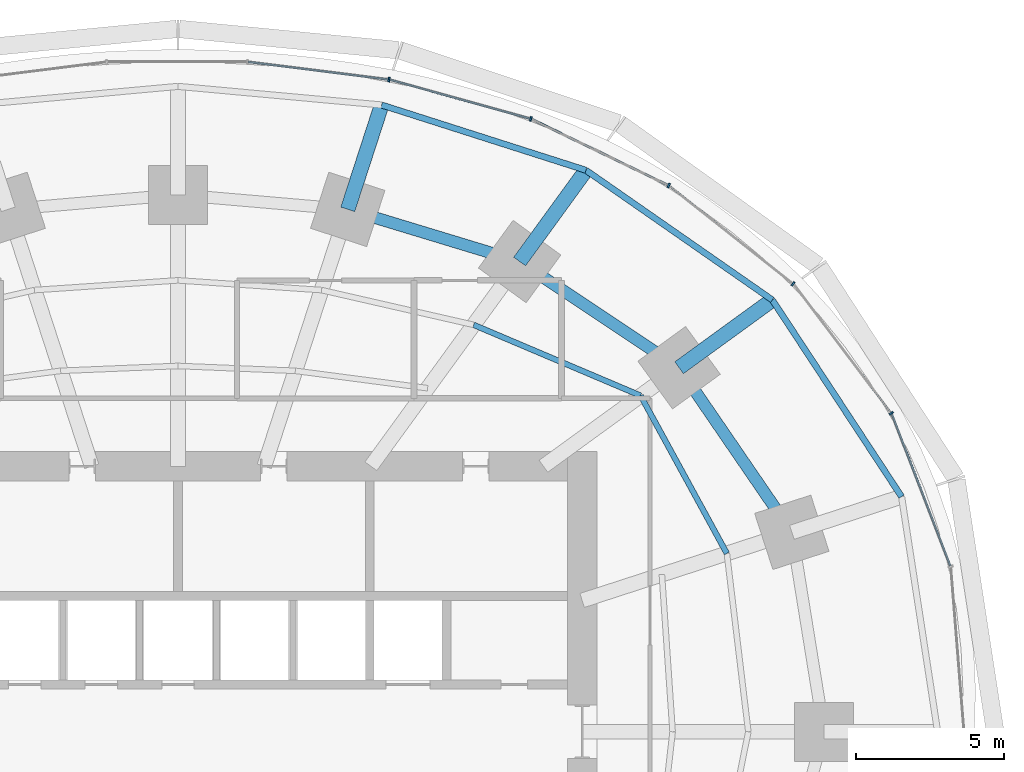
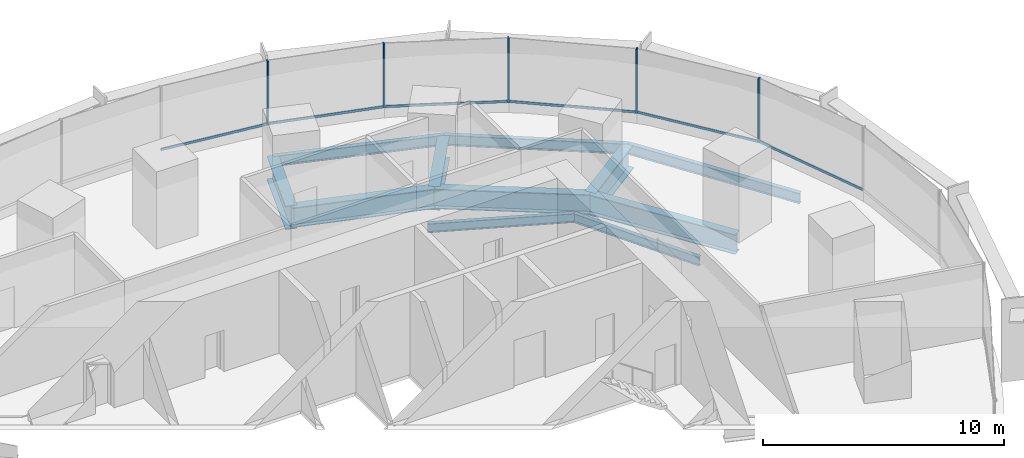
# One storey, part 9 of 15: 11 beams, 11 members, 2 elements without a shape of their own.
"""IFC4 building model written with IfcOpenShell, lengths in metres."""

import ifcopenshell
import ifcopenshell.guid

model = None  # the IFC model being written
_history = None  # IfcOwnerHistory: only IFC2X3 demands one
_inside = {}  # id of a spatial element -> (the spatial element, [elements in it])
_under = {}  # id of a project, library or spatial element -> (it, [spatial elements below it])
_declared = {}  # id of a project -> (the project, [libraries it declares])
_typed = {}  # id of a type object -> (the type object, [elements of that type])
_made_of = {}  # id of a material, layer set ... -> (it, [elements and type objects made of it])


def new_model(schema):
    """Start an empty IFC model of exactly this schema.

    Asked for "IFC4X3", IfcOpenShell would pick the latest addendum, in which some entities
    have other attributes; the version numbers below select the first issue.
    IFC2X3 requires an IfcOwnerHistory on every rooted entity: one is made here for all.
    """
    global model, _history
    if schema == "IFC4X3":
        model = ifcopenshell.file(schema_version=(4, 3, 0, 0))
    else:
        model = ifcopenshell.file(schema=schema)
    _inside.clear()
    _under.clear()
    _declared.clear()
    _typed.clear()
    _made_of.clear()
    _history = None
    if model.schema == "IFC2X3":
        org = make("IfcOrganization", Name="unknown")
        user = make(
            "IfcPersonAndOrganization",
            ThePerson=make("IfcPerson", FamilyName="unknown"),
            TheOrganization=org,
        )
        app = make(
            "IfcApplication",
            ApplicationDeveloper=org,
            Version="unknown",
            ApplicationFullName="unknown",
            ApplicationIdentifier="unknown",
        )
        _history = make(
            "IfcOwnerHistory",
            OwningUser=user,
            OwningApplication=app,
            ChangeAction="ADDED",
            CreationDate=0,
        )
    return model


def make(cls, **values):
    """One entity of the class cls with the attributes given. An attribute that is None is left unset."""
    return model.create_entity(
        cls, **{name: value for name, value in values.items() if value is not None}
    )


def rooted(cls, **values):
    """An entity with a GlobalId (a new one), such as an element, a storey or a relation."""
    return make(cls, GlobalId=ifcopenshell.guid.new(), OwnerHistory=_history, **values)


def si_unit(unit_type, name, prefix=None):
    """IfcSIUnit, for example si_unit("LENGTHUNIT", "METRE", prefix="MILLI")."""
    return make("IfcSIUnit", UnitType=unit_type, Prefix=prefix, Name=name)


def assignment(units):
    """IfcUnitAssignment: the units of a project."""
    return None if units is None else make("IfcUnitAssignment", Units=units)


def point(xyz):
    """IfcCartesianPoint."""
    return None if xyz is None else make("IfcCartesianPoint", Coordinates=xyz)


def direction(xyz):
    """IfcDirection."""
    return None if xyz is None else make("IfcDirection", DirectionRatios=xyz)


def frame(location, z_axis=None, x_axis=None):
    """IfcAxis2Placement3D, a coordinate frame: its origin and axes. An axis left out is left unset."""
    return make(
        "IfcAxis2Placement3D",
        Location=point(location),
        Axis=direction(z_axis),
        RefDirection=direction(x_axis),
    )


def frame_2d(location, x_axis=None):
    """IfcAxis2Placement2D, a coordinate frame in the plane: its origin and x axis."""
    return make(
        "IfcAxis2Placement2D", Location=point(location), RefDirection=direction(x_axis)
    )


def origin():
    """The frame at (0, 0, 0) with its axes left unset."""
    return frame((0.0, 0.0, 0.0))


def origin_2d():
    """The frame at (0, 0) in the plane with its x axis left unset."""
    return frame_2d((0.0, 0.0))


def place(relative_to, where):
    """IfcLocalPlacement: puts the frame where relative to a parent placement (None: the world)."""
    return make(
        "IfcLocalPlacement", PlacementRelTo=relative_to, RelativePlacement=where
    )


def context(
    kind, dimensions, precision=None, world=None, true_north=None, identifier=None
):
    """IfcGeometricRepresentationContext, for example the 3D "Model" context."""
    return make(
        "IfcGeometricRepresentationContext",
        ContextIdentifier=identifier,
        ContextType=kind,
        CoordinateSpaceDimension=dimensions,
        Precision=precision,
        WorldCoordinateSystem=world,
        TrueNorth=true_north,
    )


def subcontext(parent, identifier, kind, view, scale=None):
    """IfcGeometricRepresentationSubContext, for example "Body" below "Model"."""
    return make(
        "IfcGeometricRepresentationSubContext",
        ContextIdentifier=identifier,
        ContextType=kind,
        ParentContext=parent,
        TargetScale=scale,
        TargetView=view,
    )


def project(units=None, contexts=None):
    """IfcProject with its units and contexts."""
    return rooted(
        "IfcProject",
        Name="project",
        RepresentationContexts=contexts,
        UnitsInContext=assignment(units),
    )


def spatial(cls, under=None, at=None, **own):
    """A site, building, storey or space (cls), placed at a placement, below another one or the project."""
    s = rooted(cls, ObjectPlacement=at, **own)
    if under is not None:
        _under.setdefault(under.id(), (under, []))[1].append(s)
    return s


def profile(cls, at=None, kind="AREA", **sizes):
    """A parametric profile (cls). Its sizes go by their IFC names, for example OverallWidth=200.0."""
    return make(cls, ProfileType=kind, Position=at, **sizes)


def rectangle(**sizes):
    """IfcRectangleProfileDef."""
    return profile("IfcRectangleProfileDef", **sizes)


def i_section(**sizes):
    """IfcIShapeProfileDef."""
    return profile("IfcIShapeProfileDef", **sizes)


def extrude(swept, where, along, depth):
    """IfcExtrudedAreaSolid: the profile swept, set in the frame where, extruded along a direction by depth."""
    return make(
        "IfcExtrudedAreaSolid",
        SweptArea=swept,
        Position=where,
        ExtrudedDirection=direction(along),
        Depth=depth,
    )


def shape(context_of_items, identifier, shape_type, items):
    """IfcShapeRepresentation: the items that make up one representation, for example the "Body"."""
    return make(
        "IfcShapeRepresentation",
        ContextOfItems=context_of_items,
        RepresentationIdentifier=identifier,
        RepresentationType=shape_type,
        Items=items,
    )


def material(Name=None, Category=None):
    """IfcMaterial."""
    return make("IfcMaterial", Name=Name, Category=Category)


def material_profile(
    of_material, cross_section, Name=None, Category=None, Priority=None
):
    """IfcMaterialProfile: a cross section and its material."""
    return make(
        "IfcMaterialProfile",
        Name=Name,
        Material=of_material,
        Profile=cross_section,
        Priority=Priority,
        Category=Category,
    )


def profile_set(profiles, Name=None, composite=None):
    """IfcMaterialProfileSet."""
    return make(
        "IfcMaterialProfileSet",
        Name=Name,
        MaterialProfiles=profiles,
        CompositeProfile=composite,
    )


def made_of(thing, what):
    """Note that an element or type object is made of a material, layer set ...; save() writes the relation."""
    if what is not None:
        _made_of.setdefault(what.id(), (what, []))[1].append(thing)
    return thing


def type_object(cls, material=None, **own):
    """A type object (cls), such as IfcWallType, which elements share."""
    return made_of(rooted(cls, **own), material)


def element(
    cls,
    number,
    at=None,
    inside=None,
    cuts=None,
    type_object=None,
    material=None,
    context=None,
    identifier="Body",
    shape_type=None,
    held_by="IfcProductDefinitionShape",
    body=None,
    shapes=None,
    **own,
):
    """One element of the class cls, such as IfcWall. Its Tag is "e" and its number.

    at: its placement. inside: the storey or other place that contains it. cuts: it is an
    opening in that element (IfcRelVoidsElement). A single representation is given by context,
    identifier, shape_type and body (its items); several are given by shapes. held_by: the class
    of the entity that holds the representations. save() writes the other relations.
    """
    e = rooted(cls, Tag="e%d" % number, ObjectPlacement=at, **own)
    if body is not None:
        shapes = [shape(context, identifier, shape_type, body)]
    if shapes is not None:
        e.Representation = make(held_by, Representations=shapes)
    if inside is not None:
        _inside.setdefault(inside.id(), (inside, []))[1].append(e)
    if cuts is not None:
        rooted(
            "IfcRelVoidsElement", RelatingBuildingElement=cuts, RelatedOpeningElement=e
        )
    if type_object is not None:
        _typed.setdefault(type_object.id(), (type_object, []))[1].append(e)
    return made_of(e, material)


def aggregate(whole, parts):
    """IfcRelAggregates: a whole, such as a stair, and the parts it consists of."""
    return rooted("IfcRelAggregates", RelatingObject=whole, RelatedObjects=parts)


def save(model, path):
    """Write the relations noted so far, then the file.

    IfcRelAggregates (storeys below a building ...), IfcRelContainedInSpatialStructure (elements
    in a storey), IfcRelDefinesByType, IfcRelAssociatesMaterial and IfcRelDeclares: one each for
    every whole, place, type object, material and project.
    """
    for whole, parts in _under.values():
        aggregate(whole, parts)
    for where, things in _inside.values():
        rooted(
            "IfcRelContainedInSpatialStructure",
            RelatedElements=things,
            RelatingStructure=where,
        )
    for kind, things in _typed.values():
        rooted("IfcRelDefinesByType", RelatedObjects=things, RelatingType=kind)
    for what, things in _made_of.values():
        rooted("IfcRelAssociatesMaterial", RelatedObjects=things, RelatingMaterial=what)
    for by, libraries in _declared.values():
        rooted("IfcRelDeclares", RelatingContext=by, RelatedDefinitions=libraries)
    model.write(path)


model = new_model("IFC4")

# Units and contexts
model_context = context("Model", 3, precision=1e-05, world=origin(), true_north=direction((0.0, 1.0)))
body_context = subcontext(model_context, "Body", "Model", "MODEL_VIEW")
ifc_project = project(units=[si_unit("LENGTHUNIT", "METRE"), si_unit("AREAUNIT", "SQUARE_METRE"), si_unit("VOLUMEUNIT", "CUBIC_METRE"), si_unit("PLANEANGLEUNIT", "RADIAN"), si_unit("MASSUNIT", "GRAM", prefix="KILO")], contexts=[model_context])

# Site, building, storey
site_placement = place(None, origin())
site = spatial("IfcSite", under=ifc_project, at=site_placement, CompositionType="ELEMENT")
building_placement = place(site_placement, origin())
building = spatial("IfcBuilding", under=site, at=building_placement, Name="Marramba Exchange Tower", CompositionType="ELEMENT")
storey_placement = place(building_placement, frame((0.0, 0.0, 40.60009765625)))
storey = spatial("IfcBuildingStorey", under=building, at=storey_placement, Name="L09", CompositionType="ELEMENT", Elevation=40.60009765625)

# Beams
ifc_material_1 = material(Name="Steel AS/NZS 3679.2 grade 300", Category="steel")
ifc_material_profile_1 = material_profile(ifc_material_1, i_section(OverallWidth=0.5, OverallDepth=1.199951171875, WebThickness=0.01611328125, FlangeThickness=0.0400390625, at=origin_2d()), Name="1200WB455")
ifc_profile_set_1 = profile_set([ifc_material_profile_1], Name="Steel AS/NZS 3679.2 grade 300")
beam_type_1 = type_object("IfcBeamType", Name="Cantilever girder 1200WB455", PredefinedType="BEAM", material=ifc_profile_set_1)
beam_1_placement = place(storey_placement, frame((16.98583984375, 12.3408203125, -0.760009765625), z_axis=(0.808987260856, 0.587826174793, 0.0), x_axis=(-0.587826174793, 0.808987260856, 0.0)))
element("IfcBeam", 1, at=beam_1_placement, inside=storey, type_object=beam_type_1, Name="Cantilever girder L09 TC03", PredefinedType="BEAM", context=body_context, shape_type="SweptSolid", body=[
    extrude(i_section(OverallWidth=0.5, OverallDepth=1.199951171875, WebThickness=0.01611328125, FlangeThickness=0.0400390625, at=origin_2d()), origin(), (0.0, 0.0, 1.0), 3.90771484375),
])
beam_2_placement = place(storey_placement, frame((11.581298828125, 15.9404296875, -0.760009765625), z_axis=(0.587795827483, 0.809009310944, 0.0), x_axis=(-0.809009310944, 0.587795827483, 0.0)))
element("IfcBeam", 2, at=beam_2_placement, inside=storey, type_object=beam_type_1, Name="Cantilever girder L09 TC04", PredefinedType="BEAM", context=body_context, shape_type="SweptSolid", body=[
    extrude(i_section(OverallWidth=0.5, OverallDepth=1.199951171875, WebThickness=0.01611328125, FlangeThickness=0.0400390625, at=origin_2d()), origin(), (0.0, 0.0, 1.0), 3.82421875),
])
beam_3_placement = place(storey_placement, frame((5.75390625, 17.70849609375, -0.760009765625), z_axis=(0.308973290646, 0.951070715387, 0.0), x_axis=(-0.951070715387, 0.308973290646, 0.0)))
element("IfcBeam", 3, at=beam_3_placement, inside=storey, type_object=beam_type_1, Name="Cantilever girder L09 TC05", PredefinedType="BEAM", context=body_context, shape_type="SweptSolid", body=[
    extrude(i_section(OverallWidth=0.5, OverallDepth=1.199951171875, WebThickness=0.01611328125, FlangeThickness=0.0400390625, at=origin_2d()), origin(), (0.0, 0.0, 1.0), 3.72021484375),
])
ifc_material_2 = material(Name="Steel AS/NZS 3679.1 grade 300", Category="steel")
ifc_material_profile_2 = material_profile(ifc_material_2, i_section(OverallWidth=0.18994140625, OverallDepth=0.4541015625, WebThickness=0.008544921875, FlangeThickness=0.0126953125, FilletRadius=0.011474609375, at=origin_2d()), Name="460UB67.1")
ifc_profile_set_2 = profile_set([ifc_material_profile_2], Name="Steel AS/NZS 3679.1 grade 300")
beam_type_2 = type_object("IfcBeamType", Name="Floor joist 460UB67.1", PredefinedType="JOIST", material=ifc_profile_set_2)
beam_4_placement = place(storey_placement, frame((18.60546875, 6.04541015625, -0.38720703125), z_axis=(-0.479584443791, 0.877495732909, 0.0), x_axis=(-0.877495732909, -0.479584443791, 0.0)))
element("IfcBeam", 4, at=beam_4_placement, inside=storey, type_object=beam_type_2, Name="Joist L09 bay 02 row 2", PredefinedType="JOIST", context=body_context, shape_type="SweptSolid", body=[
    extrude(i_section(OverallWidth=0.18994140625, OverallDepth=0.4541015625, WebThickness=0.008544921875, FlangeThickness=0.0126953125, FilletRadius=0.011474609375, at=origin_2d()), origin(), (0.0, 0.0, 1.0), 6.094970703125),
])
beam_5_placement = place(storey_placement, frame((15.682373046875, 11.393798828125, -0.38720703125), z_axis=(-0.920674336375, 0.390331610738, 0.0), x_axis=(-0.390331610738, -0.920674336375, 0.0)))
element("IfcBeam", 5, at=beam_5_placement, inside=storey, type_object=beam_type_2, Name="Joist L09 bay 03 row 2", PredefinedType="JOIST", context=body_context, shape_type="SweptSolid", body=[
    extrude(i_section(OverallWidth=0.18994140625, OverallDepth=0.4541015625, WebThickness=0.008544921875, FlangeThickness=0.0126953125, FilletRadius=0.011474609375, at=origin_2d()), origin(), (0.0, 0.0, 1.0), 6.1484375),
])
ifc_material_profile_3 = material_profile(ifc_material_1, i_section(OverallWidth=0.39990234375, OverallDepth=1.0, WebThickness=0.01611328125, FlangeThickness=0.031982421875, at=origin_2d()), Name="1000WB322")
ifc_profile_set_3 = profile_set([ifc_material_profile_3], Name="Steel AS/NZS 3679.2 grade 300")
beam_type_3 = type_object("IfcBeamType", Name="Ring beam 1000WB322", PredefinedType="SPANDREL", material=ifc_profile_set_3)
beam_6_placement = place(storey_placement, frame((20.808349609375, 6.760986328125, -0.66015625), z_axis=(-0.56516002054, 0.824981303535, 0.0), x_axis=(-0.824981303535, -0.56516002054, 0.0)))
element("IfcBeam", 6, at=beam_6_placement, inside=storey, type_object=beam_type_3, Name="Ring beam L09 TC02-TC03", PredefinedType="SPANDREL", context=body_context, shape_type="SweptSolid", body=[
    extrude(i_section(OverallWidth=0.39990234375, OverallDepth=1.0, WebThickness=0.01611328125, FlangeThickness=0.031982421875, at=origin_2d()), origin(), (0.0, 0.0, 1.0), 6.763671875),
])
beam_7_placement = place(storey_placement, frame((16.98583984375, 12.3408203125, -0.66015625), z_axis=(-0.832293151443, 0.554335737673, 0.0), x_axis=(-0.554335737673, -0.832293151443, 0.0)))
element("IfcBeam", 7, at=beam_7_placement, inside=storey, type_object=beam_type_3, Name="Ring beam L09 TC03-TC04", PredefinedType="SPANDREL", context=body_context, shape_type="SweptSolid", body=[
    extrude(i_section(OverallWidth=0.39990234375, OverallDepth=1.0, WebThickness=0.01611328125, FlangeThickness=0.031982421875, at=origin_2d()), origin(), (0.0, 0.0, 1.0), 6.49365234375),
])
beam_8_placement = place(storey_placement, frame((11.581298828125, 15.9404296875, -0.66015625), z_axis=(-0.956924542524, 0.290336735387, 0.0), x_axis=(-0.290336735387, -0.956924542524, 0.0)))
element("IfcBeam", 8, at=beam_8_placement, inside=storey, type_object=beam_type_3, Name="Ring beam L09 TC04-TC05", PredefinedType="SPANDREL", context=body_context, shape_type="SweptSolid", body=[
    extrude(i_section(OverallWidth=0.39990234375, OverallDepth=1.0, WebThickness=0.01611328125, FlangeThickness=0.031982421875, at=origin_2d()), origin(), (0.0, 0.0, 1.0), 6.089599609375),
])
ifc_material_profile_4 = material_profile(ifc_material_2, i_section(OverallWidth=0.208984375, OverallDepth=0.528076171875, WebThickness=0.009521484375, FlangeThickness=0.01318359375, FilletRadius=0.013916015625, at=origin_2d()), Name="530UB82.0")
ifc_profile_set_4 = profile_set([ifc_material_profile_4], Name="Steel AS/NZS 3679.1 grade 300")
beam_type_4 = type_object("IfcBeamType", Name="Slab edge beam 530UB82.0", PredefinedType="SPANDREL", material=ifc_profile_set_4)
beam_9_placement = place(storey_placement, frame((24.528564453125, 7.9697265625, -0.424072265625), z_axis=(-0.549123544095, 0.835741188001, 0.0), x_axis=(-0.835741188001, -0.549123544095, 0.0)))
element("IfcBeam", 9, at=beam_9_placement, inside=storey, type_object=beam_type_4, Name="Slab edge beam L09 TC02-TC03", PredefinedType="SPANDREL", context=body_context, shape_type="SweptSolid", body=[
    extrude(i_section(OverallWidth=0.208984375, OverallDepth=0.528076171875, WebThickness=0.009521484375, FlangeThickness=0.01318359375, FilletRadius=0.013916015625, at=origin_2d()), origin(), (0.0, 0.0, 1.0), 7.978759765625),
])
beam_10_placement = place(storey_placement, frame((20.147216796875, 14.637939453125, -0.424072265625), z_axis=(-0.820842487183, 0.571154629882, 0.0), x_axis=(-0.571154629882, -0.820842487183, 0.0)))
element("IfcBeam", 10, at=beam_10_placement, inside=storey, type_object=beam_type_4, Name="Slab edge beam L09 TC03-TC04", PredefinedType="SPANDREL", context=body_context, shape_type="SweptSolid", body=[
    extrude(i_section(OverallWidth=0.208984375, OverallDepth=0.528076171875, WebThickness=0.009521484375, FlangeThickness=0.01318359375, FilletRadius=0.013916015625, at=origin_2d()), origin(), (0.0, 0.0, 1.0), 7.697021484375),
])
beam_11_placement = place(storey_placement, frame((13.8291015625, 19.0341796875, -0.424072265625), z_axis=(-0.952577642997, 0.304295635957, 0.0), x_axis=(-0.304295635957, -0.952577642997, 0.0)))
element("IfcBeam", 11, at=beam_11_placement, inside=storey, type_object=beam_type_4, Name="Slab edge beam L09 TC04-TC05", PredefinedType="SPANDREL", context=body_context, shape_type="SweptSolid", body=[
    extrude(i_section(OverallWidth=0.208984375, OverallDepth=0.528076171875, WebThickness=0.009521484375, FlangeThickness=0.01318359375, FilletRadius=0.013916015625, at=origin_2d()), origin(), (0.0, 0.0, 1.0), 7.2705078125),
])

# Curtain wall, members
ifc_material_3 = material(Name="Aluminium framing, bronze anodised", Category="aluminium")
curtain_wall_type = type_object("IfcCurtainWallType", Name="Trading floor ribbon curtain wall", PredefinedType="USERDEFINED", material=ifc_material_3)
curtain_wall_1_placement = place(storey_placement, origin())
curtain_wall_1 = element("IfcCurtainWall", 12, at=curtain_wall_1_placement, inside=storey, type_object=curtain_wall_type, Name="Curtain wall CW3 L09 F01-F05", ObjectType="RIBBON CURTAIN WALL", PredefinedType="USERDEFINED")
ifc_material_4 = material(Name="Aluminium mullion, bronze anodised", Category="aluminium")
ifc_material_profile_5 = material_profile(ifc_material_4, rectangle(XDim=0.159912109375, YDim=0.06005859375, at=origin_2d()), Name="CW3 mullion 60x160")
ifc_profile_set_5 = profile_set([ifc_material_profile_5], Name="Aluminium mullion, bronze anodised")
member_type_1 = type_object("IfcMemberType", Name="Trading floor ribbon curtain wall mullion", PredefinedType="MULLION", material=ifc_profile_set_5)
member_1_placement = place(storey_placement, frame((24.178466796875, 10.796875, 0.7998046875), z_axis=(0.0, 0.0, 1.0), x_axis=(-0.797748922445, -0.602989765036, 0.0)))
member_1 = element("IfcMember", 13, at=member_1_placement, type_object=member_type_1, Name="CW3 mullion 1", PredefinedType="MULLION", context=body_context, shape_type="SweptSolid", body=[
    extrude(rectangle(XDim=0.159912109375, YDim=0.06005859375, at=origin_2d()), origin(), (0.0, 0.0, 1.0), 3.239990234375),
])
member_2_placement = place(storey_placement, frame((20.851806640625, 15.185546875, 0.7998046875), z_axis=(0.0, 0.0, 1.0), x_axis=(-0.620649730166, -0.784087949432, 0.0)))
member_2 = element("IfcMember", 14, at=member_2_placement, type_object=member_type_1, Name="CW3 mullion 1", PredefinedType="MULLION", context=body_context, shape_type="SweptSolid", body=[
    extrude(rectangle(XDim=0.159912109375, YDim=0.06005859375, at=origin_2d()), origin(), (0.0, 0.0, 1.0), 3.239990234375),
])
member_3_placement = place(storey_placement, frame((16.63330078125, 18.516357421875, 0.7998046875), z_axis=(0.0, 0.0, 1.0), x_axis=(-0.43596538664, -0.899963433508, 0.0)))
member_3 = element("IfcMember", 15, at=member_3_placement, type_object=member_type_1, Name="CW3 mullion 1", PredefinedType="MULLION", context=body_context, shape_type="SweptSolid", body=[
    extrude(rectangle(XDim=0.159912109375, YDim=0.06005859375, at=origin_2d()), origin(), (0.0, 0.0, 1.0), 3.239990234375),
])

curtain_wall_2_placement = place(storey_placement, origin())
curtain_wall_2 = element("IfcCurtainWall", 16, at=curtain_wall_2_placement, inside=storey, type_object=curtain_wall_type, Name="Curtain wall CW3 L09 F06-F10", ObjectType="RIBBON CURTAIN WALL", PredefinedType="USERDEFINED")
member_4_placement = place(storey_placement, frame((11.96044921875, 20.774169921875, 0.7998046875), z_axis=(0.0, 0.0, 1.0), x_axis=(-0.267808735815, -0.963472096649, 0.0)))
member_4 = element("IfcMember", 17, at=member_4_placement, type_object=member_type_1, Name="CW3 mullion 1", PredefinedType="MULLION", context=body_context, shape_type="SweptSolid", body=[
    extrude(rectangle(XDim=0.159912109375, YDim=0.06005859375, at=origin_2d()), origin(), (0.0, 0.0, 1.0), 3.239990234375),
])
member_5_placement = place(storey_placement, frame((7.15185546875, 22.106201171875, 0.7998046875), z_axis=(0.0, 0.0, 1.0), x_axis=(-0.124872723099, -0.992172768738, 0.0)))
member_5 = element("IfcMember", 18, at=member_5_placement, type_object=member_type_1, Name="CW3 mullion 1", PredefinedType="MULLION", context=body_context, shape_type="SweptSolid", body=[
    extrude(rectangle(XDim=0.159912109375, YDim=0.06005859375, at=origin_2d()), origin(), (0.0, 0.0, 1.0), 3.239990234375),
])

# Member
ifc_material_5 = material(Name="Aluminium transom, bronze anodised", Category="aluminium")
ifc_material_profile_6 = material_profile(ifc_material_5, rectangle(XDim=0.06005859375, YDim=0.1201171875, at=origin_2d()), Name="CW3 transom 60x120")
ifc_profile_set_6 = profile_set([ifc_material_profile_6], Name="Aluminium transom, bronze anodised")
member_type_2 = type_object("IfcMemberType", Name="Trading floor ribbon curtain wall transom", PredefinedType="USERDEFINED", material=ifc_profile_set_6)
member_6_placement = place(storey_placement, frame((26.179931640625, 5.625244140625, 0.829833984375), z_axis=(-0.359533581349, 0.933132147063, 0.0), x_axis=(-0.933132147063, -0.359533581349, 0.0)))
member_6 = element("IfcMember", 19, at=member_6_placement, type_object=member_type_2, Name="CW3 sill transom", ObjectType="TRANSOM", PredefinedType="USERDEFINED", context=body_context, shape_type="SweptSolid", body=[
    extrude(rectangle(XDim=0.06005859375, YDim=0.1201171875, at=origin_2d()), origin(), (0.0, 0.0, 1.0), 5.5166015625),
])

member_7_placement = place(storey_placement, frame((24.160400390625, 10.82080078125, 0.829833984375), z_axis=(-0.602985866158, 0.797751869452, 0.0), x_axis=(-0.797751869452, -0.602985866158, 0.0)))
member_7 = element("IfcMember", 20, at=member_7_placement, type_object=member_type_2, Name="CW3 sill transom", ObjectType="TRANSOM", PredefinedType="USERDEFINED", context=body_context, shape_type="SweptSolid", body=[
    extrude(rectangle(XDim=0.06005859375, YDim=0.1201171875, at=origin_2d()), origin(), (0.0, 0.0, 1.0), 5.44775390625),
])

member_8_placement = place(storey_placement, frame((20.828369140625, 15.2041015625, 0.829833984375), z_axis=(-0.784097975735, 0.620637063385, 0.0), x_axis=(-0.620637063385, -0.784097975735, 0.0)))
member_8 = element("IfcMember", 21, at=member_8_placement, type_object=member_type_2, Name="CW3 sill transom", ObjectType="TRANSOM", PredefinedType="USERDEFINED", context=body_context, shape_type="SweptSolid", body=[
    extrude(rectangle(XDim=0.06005859375, YDim=0.1201171875, at=origin_2d()), origin(), (0.0, 0.0, 1.0), 5.315673828125),
])

member_9_placement = place(storey_placement, frame((16.6064453125, 18.529296875, 0.829833984375), z_axis=(-0.89995331781, 0.43598626786, 0.0), x_axis=(-0.43598626786, -0.89995331781, 0.0)))
member_9 = element("IfcMember", 22, at=member_9_placement, type_object=member_type_2, Name="CW3 sill transom", ObjectType="TRANSOM", PredefinedType="USERDEFINED", context=body_context, shape_type="SweptSolid", body=[
    extrude(rectangle(XDim=0.06005859375, YDim=0.1201171875, at=origin_2d()), origin(), (0.0, 0.0, 1.0), 5.13037109375),
])

aggregate(curtain_wall_1, [member_6, member_1, member_7, member_2, member_8, member_3, member_9])

member_10_placement = place(storey_placement, frame((11.931396484375, 20.7822265625, 0.829833984375), z_axis=(-0.963468938163, 0.267820098565, 0.0), x_axis=(-0.267820098565, -0.963468938163, 0.0)))
member_10 = element("IfcMember", 23, at=member_10_placement, type_object=member_type_2, Name="CW3 sill transom", ObjectType="TRANSOM", PredefinedType="USERDEFINED", context=body_context, shape_type="SweptSolid", body=[
    extrude(rectangle(XDim=0.06005859375, YDim=0.1201171875, at=origin_2d()), origin(), (0.0, 0.0, 1.0), 4.929931640625),
])

member_11_placement = place(storey_placement, frame((7.1220703125, 22.10986328125, 0.829833984375), z_axis=(-0.99216810728, 0.124909755012, 0.0), x_axis=(-0.124909755012, -0.99216810728, 0.0)))
member_11 = element("IfcMember", 24, at=member_11_placement, type_object=member_type_2, Name="CW3 sill transom", ObjectType="TRANSOM", PredefinedType="USERDEFINED", context=body_context, shape_type="SweptSolid", body=[
    extrude(rectangle(XDim=0.06005859375, YDim=0.1201171875, at=origin_2d()), origin(), (0.0, 0.0, 1.0), 4.77294921875),
])

aggregate(curtain_wall_2, [member_4, member_10, member_5, member_11])

save(model, "model.ifc")
